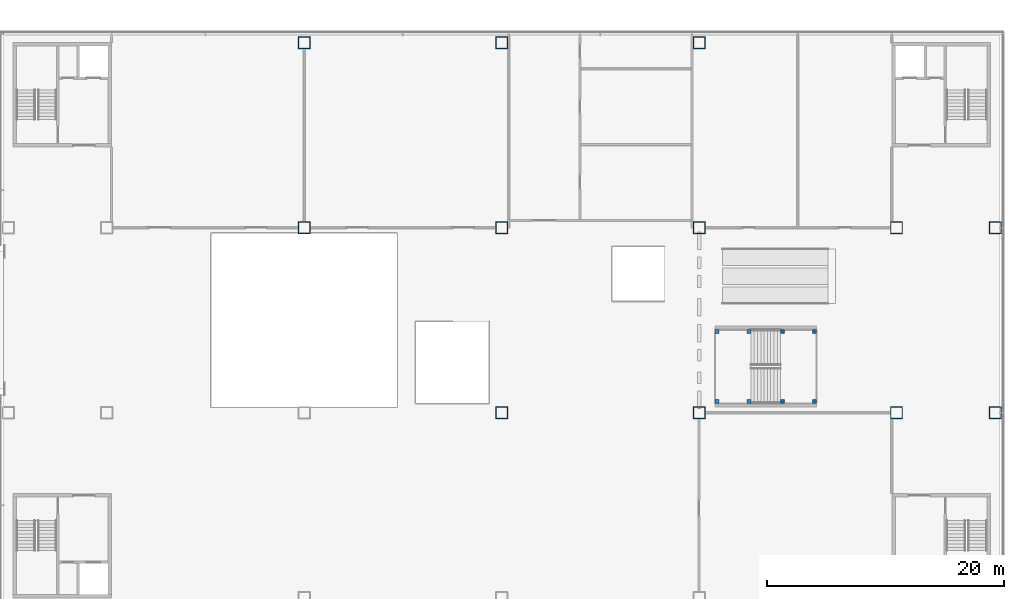
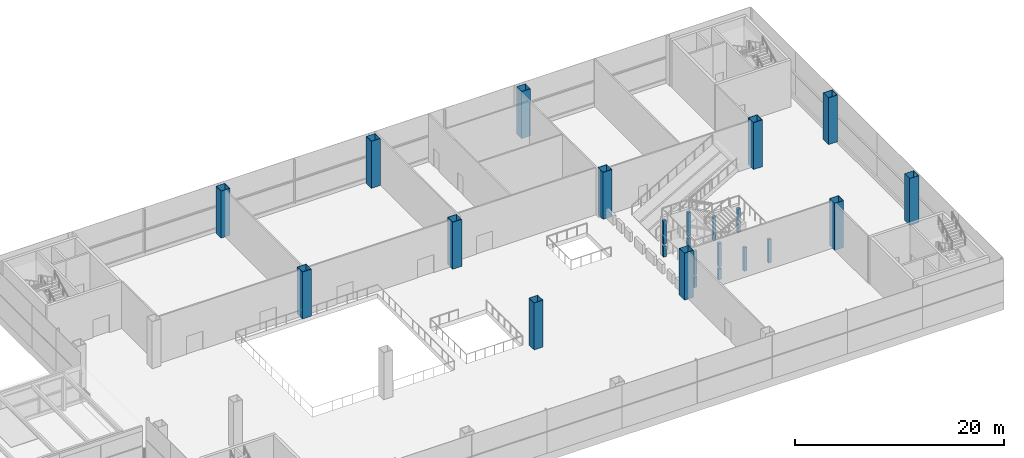
# One storey, part 11 of 100: 24 columns.
"""IFC4 building model written with IfcOpenShell, lengths in metres."""

from ifc_helpers import new_model, si_unit, direction, frame, origin, origin_2d, place, context, subcontext, project, spatial, rectangle, hollow_rectangle, extrude, material, material_profile, profile_set, type_object, element, save


model = new_model("IFC4")

# Units and contexts
model_context = context("Model", 3, precision=1e-05, world=origin(), true_north=direction((0.0, 1.0)))
body_context = subcontext(model_context, "Body", "Model", "MODEL_VIEW")
ifc_project = project(units=[si_unit("LENGTHUNIT", "METRE"), si_unit("AREAUNIT", "SQUARE_METRE"), si_unit("VOLUMEUNIT", "CUBIC_METRE"), si_unit("PLANEANGLEUNIT", "RADIAN"), si_unit("MASSUNIT", "GRAM", prefix="KILO")], contexts=[model_context])

# Site, building, storey
site_placement = place(None, origin())
site = spatial("IfcSite", under=ifc_project, at=site_placement, CompositionType="ELEMENT")
building_placement = place(site_placement, origin())
building = spatial("IfcBuilding", under=site, at=building_placement, Name="Hakoniwa Tower and Hamabe Station Hall", CompositionType="ELEMENT")
storey_placement = place(building_placement, frame((0.0, 0.0, 9.0)))
storey = spatial("IfcBuildingStorey", under=building, at=storey_placement, Name="L02", CompositionType="ELEMENT", Elevation=9.0)

# Columns
ifc_material_1 = material(Name="Concrete C40", Category="concrete")
ifc_material_profile_1 = material_profile(ifc_material_1, rectangle(XDim=0.300048828125, YDim=0.300048828125, at=origin_2d()), Name="STAIR LANDING POST 300X300")
ifc_profile_set_1 = profile_set([ifc_material_profile_1], Name="Concrete C40")
column_type_1 = type_object("IfcColumnType", Name="STAIR LANDING POST 300X300", PredefinedType="COLUMN", material=ifc_profile_set_1)
for number, where, z_axis, x_axis, name in (
    (1, (145.699951171875, -0.949951171875, 0.0), (0.0, 0.0, 1.0), (1.0, 0.0, 0.0), "Landing post PA1 1a"),
    (2, (145.699951171875, -6.85009765625, 0.0), (0.0, 0.0, 1.0), (1.0, 0.0, 0.0), "Landing post PA1 1b"),
    (3, (148.39990234375, -0.949951171875, 0.0), (0.0, 0.0, 1.0), (1.0, 0.0, 0.0), "Landing post PA1 1c"),
    (4, (148.39990234375, -6.85009765625, 0.0), (0.0, 0.0, 1.0), (1.0, 0.0, 0.0), "Landing post PA1 1d"),
):
    element("IfcColumn", number, at=place(storey_placement, frame(where, z_axis=z_axis, x_axis=x_axis)), inside=storey, type_object=column_type_1, Name=name, PredefinedType="COLUMN", context=body_context, shape_type="SweptSolid", body=[
        extrude(rectangle(XDim=0.300048828125, YDim=0.300048828125, at=origin_2d()), origin(), (0.0, 0.0, 1.0), 1.25),
    ])
for number, where, z_axis, x_axis, name in (
    (5, (153.919921875, -0.949951171875, 0.0), (0.0, 0.0, 1.0), (1.0, 0.0, 0.0), "Landing post PA1 2a"),
    (6, (153.919921875, -6.85009765625, 0.0), (0.0, 0.0, 1.0), (1.0, 0.0, 0.0), "Landing post PA1 2b"),
    (7, (151.219970703125, -0.949951171875, 0.0), (0.0, 0.0, 1.0), (1.0, 0.0, 0.0), "Landing post PA1 2c"),
    (8, (151.219970703125, -6.85009765625, 0.0), (0.0, 0.0, 1.0), (1.0, 0.0, 0.0), "Landing post PA1 2d"),
    (9, (145.699951171875, -0.949951171875, 1.5), (0.0, 0.0, 1.0), (1.0, 0.0, 0.0), "Landing post PA1 3a"),
    (10, (145.699951171875, -6.85009765625, 1.5), (0.0, 0.0, 1.0), (1.0, 0.0, 0.0), "Landing post PA1 3b"),
    (11, (148.39990234375, -0.949951171875, 1.5), (0.0, 0.0, 1.0), (1.0, 0.0, 0.0), "Landing post PA1 3c"),
    (12, (148.39990234375, -6.85009765625, 1.5), (0.0, 0.0, 1.0), (1.0, 0.0, 0.0), "Landing post PA1 3d"),
):
    element("IfcColumn", number, at=place(storey_placement, frame(where, z_axis=z_axis, x_axis=x_axis)), inside=storey, type_object=column_type_1, Name=name, PredefinedType="COLUMN", context=body_context, shape_type="SweptSolid", body=[
        extrude(rectangle(XDim=0.300048828125, YDim=0.300048828125, at=origin_2d()), origin(), (0.0, 0.0, 1.0), 2.75),
    ])
ifc_material_2 = material(Name="Steel BCP325", Category="steel")
ifc_material_profile_2 = material_profile(ifc_material_2, hollow_rectangle(XDim=1.0, YDim=1.0, WallThickness=0.035888671875, at=origin_2d()), Name="STATION BOX COLUMN 1000X1000X36")
ifc_profile_set_2 = profile_set([ifc_material_profile_2], Name="Steel BCP325")
column_type_2 = type_object("IfcColumnType", Name="STATION BOX COLUMN 1000X1000X36", PredefinedType="COLUMN", material=ifc_profile_set_2)
for number, where, z_axis, x_axis, name in (
    (13, (110.909912109375, 7.800048828125, 0.0), (0.0, 0.0, 1.0), (1.0, 0.0, 0.0), "Station column S4E"),
    (14, (110.909912109375, 23.39990234375, 0.0), (0.0, 0.0, 1.0), (1.0, 0.0, 0.0), "Station column S4G"),
    (15, (127.550048828125, -7.800048828125, 0.0), (0.0, 0.0, 1.0), (1.0, 0.0, 0.0), "Station column S6C"),
    (16, (127.550048828125, 7.800048828125, 0.0), (0.0, 0.0, 1.0), (1.0, 0.0, 0.0), "Station column S6E"),
    (17, (127.550048828125, 23.39990234375, 0.0), (0.0, 0.0, 1.0), (1.0, 0.0, 0.0), "Station column S6G"),
    (18, (144.18994140625, -7.800048828125, 0.0), (0.0, 0.0, 1.0), (1.0, 0.0, 0.0), "Station column S8C"),
    (19, (144.18994140625, 7.800048828125, 0.0), (0.0, 0.0, 1.0), (1.0, 0.0, 0.0), "Station column S8E"),
    (20, (144.18994140625, 23.39990234375, 0.0), (0.0, 0.0, 1.0), (1.0, 0.0, 0.0), "Station column S8G"),
    (21, (160.830078125, -7.800048828125, 0.0), (0.0, 0.0, 1.0), (1.0, 0.0, 0.0), "Station column S10C"),
    (22, (160.830078125, 7.800048828125, 0.0), (0.0, 0.0, 1.0), (1.0, 0.0, 0.0), "Station column S10E"),
    (23, (169.14990234375, -7.800048828125, 0.0), (0.0, 0.0, 1.0), (1.0, 0.0, 0.0), "Station column S11C"),
    (24, (169.14990234375, 7.800048828125, 0.0), (0.0, 0.0, 1.0), (1.0, 0.0, 0.0), "Station column S11E"),
):
    element("IfcColumn", number, at=place(storey_placement, frame(where, z_axis=z_axis, x_axis=x_axis)), inside=storey, type_object=column_type_2, Name=name, PredefinedType="COLUMN", context=body_context, shape_type="SweptSolid", body=[
        extrude(hollow_rectangle(XDim=1.0, YDim=1.0, WallThickness=0.035888671875, at=origin_2d()), origin(), (0.0, 0.0, 1.0), 5.5),
    ])

save(model, "model.ifc")
